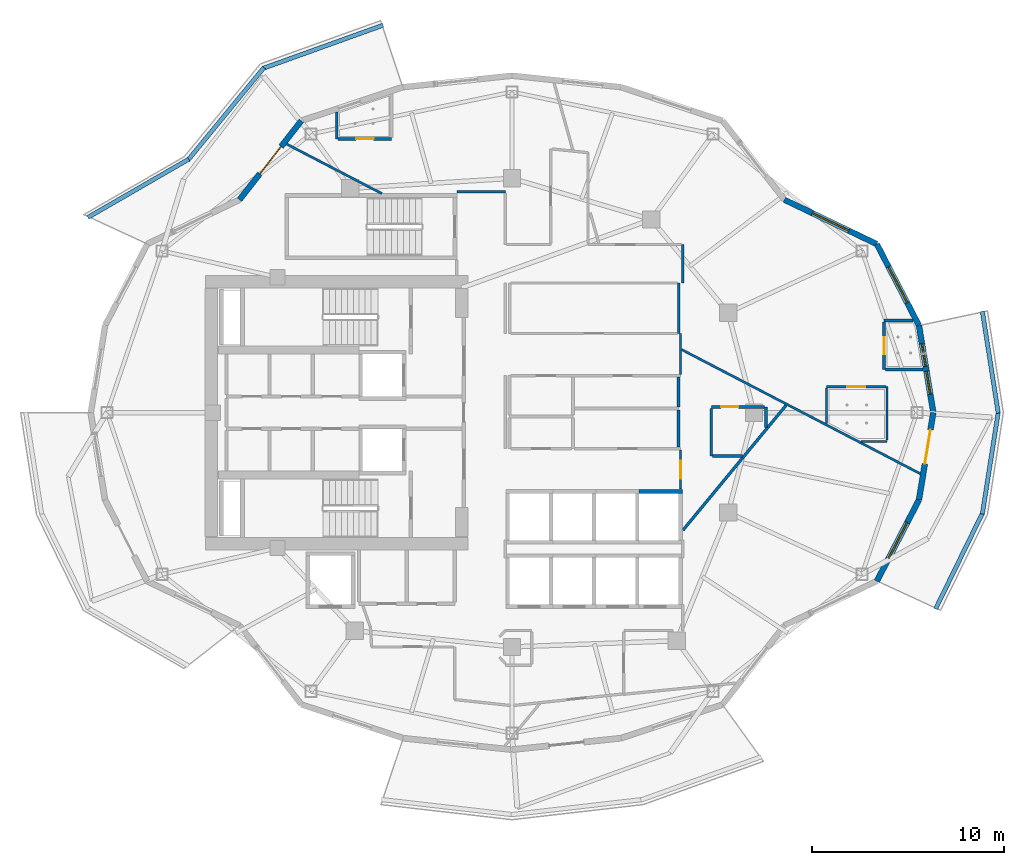
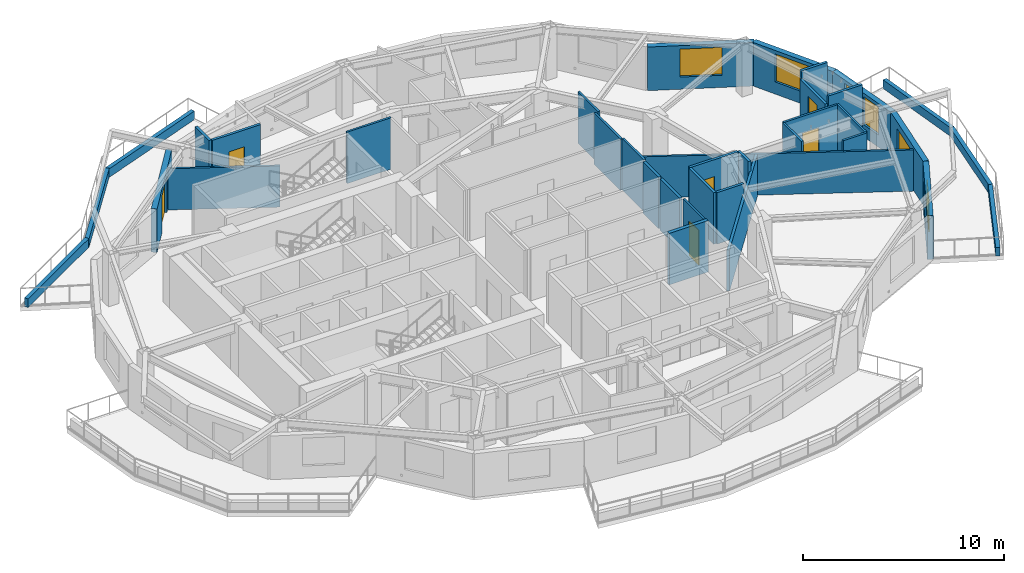
# One storey, part 6 of 14: 36 walls, 7 doors, 5 windows, 12 openings.
"""IFC4 building model written with IfcOpenShell, lengths in metres."""

from ifc_helpers import new_model, si_unit, direction, frame, frame_2d, origin, place, context, subcontext, project, spatial, rectangle, extrude, material, layer, layer_set, type_object, element, fill, save


model = new_model("IFC4")

# Units and contexts
model_context = context("Model", 3, precision=1e-05, world=origin(), true_north=direction((0.0, 1.0)))
body_context = subcontext(model_context, "Body", "Model", "MODEL_VIEW")
ifc_project = project(units=[si_unit("LENGTHUNIT", "METRE"), si_unit("AREAUNIT", "SQUARE_METRE"), si_unit("VOLUMEUNIT", "CUBIC_METRE"), si_unit("PLANEANGLEUNIT", "RADIAN"), si_unit("MASSUNIT", "GRAM", prefix="KILO")], contexts=[model_context])

# Site, building, storey
site_placement = place(None, origin())
site = spatial("IfcSite", under=ifc_project, at=site_placement, CompositionType="ELEMENT")
building_placement = place(site_placement, origin())
building = spatial("IfcBuilding", under=site, at=building_placement, Name="Kolvaren Gate Tower and Convention Centre", CompositionType="ELEMENT")
storey_placement = place(building_placement, frame((0.0, 0.0, 173.300048828125)))
storey = spatial("IfcBuildingStorey", under=building, at=storey_placement, Name="L45", CompositionType="ELEMENT", Elevation=173.300048828125)

# Walls
ifc_material_1 = material(Name="Fire-Rated Acoustic Gypsum Stud Partition", Category="gypsum")
ifc_layer_1 = layer(ifc_material_1, 0.1201171875)
ifc_layer_set_1 = layer_set([ifc_layer_1], Name="Fire-Rated Acoustic Gypsum Stud Partition")
wall_type_1 = type_object("IfcWallType", Name="ARCH-WL-PART-120", PredefinedType="PARTITIONING", material=ifc_layer_set_1)
wall_1_placement = place(storey_placement, frame((38.800048828125, 31.1201171875, 0.0), z_axis=(0.0, 0.0, 1.0), x_axis=(0.0, 1.0, 0.0)))
element("IfcWall", 1, at=wall_1_placement, inside=storey, type_object=wall_type_1, Name="Interior Partition WL-L45-INT-024", PredefinedType="PARTITIONING", context=body_context, shape_type="SweptSolid", body=[
    extrude(rectangle(XDim=2.6298828125, YDim=0.1201171875, at=frame_2d((1.31494140625, 0.0))), origin(), (0.0, 0.0, 1.0), 3.1298828125),
])
wall_2_placement = place(storey_placement, frame((39.02001953125, 33.75, 0.0), z_axis=(0.0, 0.0, 1.0), x_axis=(0.0, 1.0, 0.0)))
element("IfcWall", 2, at=wall_2_placement, inside=storey, type_object=wall_type_1, Name="Interior Partition WL-L45-INT-028", PredefinedType="PARTITIONING", context=body_context, shape_type="SweptSolid", body=[
    extrude(rectangle(XDim=2.0, YDim=0.1201171875, at=frame_2d((1.0, 0.0))), origin(), (0.0, 0.0, 1.0), 3.1298828125),
])
wall_3_placement = place(storey_placement, frame((27.25, 38.5, 0.0), z_axis=(0.0, 0.0, 1.0), x_axis=(1.0, 0.0, 0.0)))
element("IfcWall", 3, at=wall_3_placement, inside=storey, type_object=wall_type_1, Name="Interior Partition WL-L45-INT-038", PredefinedType="PARTITIONING", context=body_context, shape_type="SweptSolid", body=[
    extrude(rectangle(XDim=2.530029296875, YDim=0.1201171875, at=frame_2d((1.26513671875, 0.0))), origin(), (0.0, 0.0, 1.0), 3.1298828125),
])

# Wall, opening, door
wall_4_placement = place(storey_placement, frame((38.89990234375, 23.02001953125, 0.0), z_axis=(0.0, 0.0, 1.0), x_axis=(0.0, 1.0, 0.0)))
wall_4 = element("IfcWall", 4, at=wall_4_placement, inside=storey, type_object=wall_type_1, Name="Interior Partition WL-L45-INT-048", PredefinedType="PARTITIONING", context=body_context, shape_type="SweptSolid", body=[
    extrude(rectangle(XDim=2.02294921875, YDim=0.1201171875, at=frame_2d((1.011474609375, 0.0))), origin(), (0.0, 0.0, 1.0), 3.1298828125),
])
opening_1_placement = place(wall_4_placement, frame((0.53662109375, 0.0, 0.0)))
opening_1 = element("IfcOpeningElement", 5, at=opening_1_placement, cuts=wall_4, Name="Opening DR-01", PredefinedType="OPENING", context=body_context, shape_type="SweptSolid", body=[
    extrude(rectangle(XDim=0.949951171875, YDim=2.10009765625, at=frame_2d((0.47509765625, 1.050048828125))), frame((0.0, 0.070068359375, 0.0), z_axis=(0.0, -1.0, 0.0), x_axis=(1.0, 0.0, 0.0)), (0.0, 0.0, 1.0), 0.14013671875),
])
ifc_material_2 = material(Name="Painted Architectural Steelwork ASTM A500 Grade C 345 MPa", Category="steel")
door_type_1 = type_object("IfcDoorType", Name="ARCH-DR-RISER-950", OperationType="SINGLE_SWING_RIGHT", PredefinedType="DOOR", material=ifc_material_2)
door_1_placement = place(opening_1_placement, origin())
door_1 = element("IfcDoor", 6, at=door_1_placement, inside=storey, type_object=door_type_1, Name="Deluxe Hotel Suite (HTL-L45-04) Door", OperationType="SINGLE_SWING_RIGHT", OverallHeight=2.10009765625, OverallWidth=0.949951171875, PredefinedType="DOOR", context=body_context, shape_type="SweptSolid", body=[
    extrude(rectangle(XDim=0.949951171875, YDim=2.10009765625, at=frame_2d((0.47509765625, 1.050048828125))), frame((0.0, 0.02490234375, 0.0), z_axis=(0.0, -1.0, 0.0), x_axis=(1.0, 0.0, 0.0)), (0.0, 0.0, 1.0), 0.050048828125),
])
fill(opening_1, door_1)

# Walls
wall_5_placement = place(storey_placement, frame((38.89990234375, 28.9970703125, 0.0), z_axis=(0.0, 0.0, 1.0), x_axis=(0.0, 1.0, 0.0)))
element("IfcWall", 7, at=wall_5_placement, inside=storey, type_object=wall_type_1, Name="Interior Partition WL-L45-INT-049", PredefinedType="PARTITIONING", context=body_context, shape_type="SweptSolid", body=[
    extrude(rectangle(XDim=2.123046875, YDim=0.1201171875, at=frame_2d((1.0615234375, 0.0))), origin(), (0.0, 0.0, 1.0), 3.1298828125),
])
wall_6_placement = place(storey_placement, frame((18.39599609375, 40.981201171875, 0.0), z_axis=(0.0, 0.0, 1.0), x_axis=(0.887120213162, -0.461538435452, 0.0)))
element("IfcWall", 8, at=wall_6_placement, inside=storey, type_object=wall_type_1, Name="Interior Partition WL-L45-INT-054", PredefinedType="PARTITIONING", context=body_context, shape_type="SweptSolid", body=[
    extrude(rectangle(XDim=5.588134765625, YDim=0.1201171875, at=frame_2d((2.7939453125, 0.0))), origin(), (0.0, 0.0, 1.0), 2.5048828125),
])
wall_7_placement = place(storey_placement, frame((38.9619140625, 30.28076171875, 0.0), z_axis=(0.0, 0.0, 1.0), x_axis=(0.887114590422, -0.461549242725, 0.0)))
element("IfcWall", 9, at=wall_7_placement, inside=storey, type_object=wall_type_1, Name="Interior Partition WL-L45-INT-055", PredefinedType="PARTITIONING", context=body_context, shape_type="SweptSolid", body=[
    extrude(rectangle(XDim=14.003662109375, YDim=0.1201171875, at=frame_2d((7.001953125, 0.0))), origin(), (0.0, 0.0, 1.0), 2.5048828125),
])
wall_8_placement = place(storey_placement, frame((48.28515625, 25.5, 0.0), z_axis=(0.0, 0.0, 1.0), x_axis=(1.0, 0.0, 0.0)))
element("IfcWall", 10, at=wall_8_placement, inside=storey, type_object=wall_type_1, Name="Interior Partition WL-L45-INT-066", PredefinedType="PARTITIONING", context=body_context, shape_type="SweptSolid", body=[
    extrude(rectangle(XDim=1.36474609375, YDim=0.1201171875, at=frame_2d((0.682373046875, 0.0))), origin(), (0.0, 0.0, 1.0), 3.1298828125),
])
wall_9_placement = place(storey_placement, frame((49.64990234375, 25.56201171875, 0.0), z_axis=(0.0, 0.0, 1.0), x_axis=(0.0, 1.0, 0.0)))
element("IfcWall", 11, at=wall_9_placement, inside=storey, type_object=wall_type_1, Name="Interior Partition WL-L45-INT-067", PredefinedType="PARTITIONING", context=body_context, shape_type="SweptSolid", body=[
    extrude(rectangle(XDim=2.7880859375, YDim=0.1201171875, at=frame_2d((1.39404296875, 0.0))), origin(), (0.0, 0.0, 1.0), 3.1298828125),
])

# Wall, opening, door
wall_10_placement = place(storey_placement, frame((46.5, 28.35009765625, 0.0), z_axis=(0.0, 0.0, 1.0), x_axis=(1.0, 0.0, 0.0)))
wall_10 = element("IfcWall", 12, at=wall_10_placement, inside=storey, type_object=wall_type_1, Name="Interior Partition WL-L45-INT-068", PredefinedType="PARTITIONING", context=body_context, shape_type="SweptSolid", body=[
    extrude(rectangle(XDim=3.087890625, YDim=0.1201171875, at=frame_2d((1.5439453125, 0.0))), origin(), (0.0, 0.0, 1.0), 3.1298828125),
])
opening_2_placement = place(wall_10_placement, frame((1.069091796875, 0.0, 0.0)))
opening_2 = element("IfcOpeningElement", 13, at=opening_2_placement, cuts=wall_10, Name="Opening DI-01", PredefinedType="OPENING", context=body_context, shape_type="SweptSolid", body=[
    extrude(rectangle(XDim=0.949951171875, YDim=2.10009765625, at=frame_2d((0.47509765625, 1.050048828125))), frame((0.0, 0.070068359375, 0.0), z_axis=(0.0, -1.0, 0.0), x_axis=(1.0, 0.0, 0.0)), (0.0, 0.0, 1.0), 0.14013671875),
])
ifc_material_3 = material(Name="FSC Andean Oak Engineered Veneer Door Leaf", Category="wood")
door_type_2 = type_object("IfcDoorType", Name="ARCH-DR-INT-950", OperationType="SINGLE_SWING_LEFT", PredefinedType="DOOR", material=ifc_material_3)
door_2_placement = place(opening_2_placement, origin())
door_2 = element("IfcDoor", 14, at=door_2_placement, inside=storey, type_object=door_type_2, Name="Suite Principal Bedroom (HTL-L45-05) Door", OperationType="SINGLE_SWING_RIGHT", OverallHeight=2.10009765625, OverallWidth=0.949951171875, PredefinedType="DOOR", context=body_context, shape_type="SweptSolid", body=[
    extrude(rectangle(XDim=0.949951171875, YDim=2.10009765625, at=frame_2d((0.47509765625, 1.050048828125))), frame((0.0, 0.02490234375, 0.0), z_axis=(0.0, -1.0, 0.0), x_axis=(1.0, 0.0, 0.0)), (0.0, 0.0, 1.0), 0.050048828125),
])
fill(opening_2, door_2)

# Walls
wall_11_placement = place(storey_placement, frame((46.5, 26.4287109375, 0.0), z_axis=(0.0, 0.0, 1.0), x_axis=(0.0, 1.0, 0.0)))
element("IfcWall", 15, at=wall_11_placement, inside=storey, type_object=wall_type_1, Name="Interior Partition WL-L45-INT-069", PredefinedType="PARTITIONING", context=body_context, shape_type="SweptSolid", body=[
    extrude(rectangle(XDim=1.859375, YDim=0.1201171875, at=frame_2d((0.9296875, 0.0))), origin(), (0.0, 0.0, 1.0), 3.1298828125),
])
ifc_material_4 = material(Name="Piedmont Cream Honed Limestone Cladding", Category="masonry")
ifc_layer_2 = layer(ifc_material_4, 0.219970703125)
ifc_layer_set_2 = layer_set([ifc_layer_2], Name="Piedmont Cream Honed Limestone Cladding")
wall_type_2 = type_object("IfcWallType", Name="ARCH-WL-PLANTER-220", PredefinedType="PARAPET", material=ifc_layer_set_2)
wall_12_placement = place(storey_placement, frame((17.14306640625, 44.917724609375, 0.0), z_axis=(0.0, 0.0, 1.0), x_axis=(0.94094437769, 0.33856118811, 0.0)))
element("IfcWall", 16, at=wall_12_placement, inside=storey, type_object=wall_type_2, Name="Vertical-Forest Balcony Stone Planter Kerb PK-L45-1.1", PredefinedType="PARAPET", context=body_context, shape_type="SweptSolid", body=[
    extrude(rectangle(XDim=6.663818359375, YDim=0.219970703125, at=frame_2d((3.33203125, 0.0))), origin(), (0.0, 0.0, 1.0), 0.52001953125),
])
wall_13_placement = place(storey_placement, frame((13.24609375, 40.13720703125, 0.0), z_axis=(0.0, 0.0, 1.0), x_axis=(0.634429234628, 0.77298094818, 0.0)))
element("IfcWall", 17, at=wall_13_placement, inside=storey, type_object=wall_type_2, Name="Vertical-Forest Balcony Stone Planter Kerb PK-L45-1.2", PredefinedType="PARAPET", context=body_context, shape_type="SweptSolid", body=[
    extrude(rectangle(XDim=6.244873046875, YDim=0.219970703125, at=frame_2d((3.12255859375, 0.0))), origin(), (0.0, 0.0, 1.0), 0.52001953125),
])
wall_14_placement = place(storey_placement, frame((8.0439453125, 37.16552734375, 0.0), z_axis=(0.0, 0.0, 1.0), x_axis=(0.866058128659, 0.499943314571, 0.0)))
element("IfcWall", 18, at=wall_14_placement, inside=storey, type_object=wall_type_2, Name="Vertical-Forest Balcony Stone Planter Kerb PK-L45-1.3", PredefinedType="PARAPET", context=body_context, shape_type="SweptSolid", body=[
    extrude(rectangle(XDim=6.060302734375, YDim=0.219970703125, at=frame_2d((3.0302734375, 0.0))), origin(), (0.0, 0.0, 1.0), 0.52001953125),
])
wall_15_placement = place(storey_placement, frame((52.180419921875, 16.778564453125, 0.0), z_axis=(0.0, 0.0, 1.0), x_axis=(0.439637174641, 0.898175458735, 0.0)))
element("IfcWall", 19, at=wall_15_placement, inside=storey, type_object=wall_type_2, Name="Vertical-Forest Balcony Stone Planter Kerb PK-L45-4.1", PredefinedType="PARAPET", context=body_context, shape_type="SweptSolid", body=[
    extrude(rectangle(XDim=5.567138671875, YDim=0.219970703125, at=frame_2d((2.78369140625, 0.0))), origin(), (0.0, 0.0, 1.0), 0.52001953125),
])
for number, where, z_axis, x_axis, name in (
    (20, (54.615234375, 21.719970703125, 0.0), (0.0, 0.0, 1.0), (0.154245214003, 0.988032597619, 0.0), "Vertical-Forest Balcony Stone Planter Kerb PK-L45-4.2"),
    (21, (54.615234375, 32.280029296875, 0.0), (0.0, 0.0, 1.0), (0.154245214003, -0.988032597619, 0.0), "Vertical-Forest Balcony Stone Planter Kerb PK-L45-4.3"),
):
    element("IfcWall", number, at=place(storey_placement, frame(where, z_axis=z_axis, x_axis=x_axis)), inside=storey, type_object=wall_type_2, Name=name, PredefinedType="PARAPET", context=body_context, shape_type="SweptSolid", body=[
        extrude(rectangle(XDim=5.37353515625, YDim=0.219970703125, at=frame_2d((2.686767578125, 0.0))), origin(), (0.0, 0.0, 1.0), 0.52001953125),
    ])
ifc_material_5 = material(Name="Autoclaved Aerated Masonry Blockwork Class 4 (4.0 MPa)", Category="masonry")
ifc_layer_3 = layer(ifc_material_5, 0.199951171875)
ifc_layer_set_3 = layer_set([ifc_layer_3], Name="Autoclaved Aerated Masonry Blockwork Class 4 (4.0 MPa)")
wall_type_3 = type_object("IfcWallType", Name="ARCH-WL-SHAFT-200", PredefinedType="SOLIDWALL", material=ifc_layer_set_3)
wall_16_placement = place(storey_placement, frame((36.75, 22.89990234375, 0.0), z_axis=(0.0, 0.0, 1.0), x_axis=(1.0, 0.0, 0.0)))
element("IfcWall", 22, at=wall_16_placement, inside=storey, type_object=wall_type_3, Name="Elevator PL-12 L45 Fire Shaft Wall N", PredefinedType="SOLIDWALL", context=body_context, shape_type="SweptSolid", body=[
    extrude(rectangle(XDim=2.25, YDim=0.199951171875, at=frame_2d((1.125, 0.0))), origin(), (0.0, 0.0, 1.0), 3.1298828125),
])

# Wall, openings, windows
ifc_layer_4 = layer(ifc_material_4, 0.300048828125)
ifc_layer_set_4 = layer_set([ifc_layer_4], Name="Piedmont Cream Honed Limestone Cladding")
wall_type_4 = type_object("IfcWallType", Name="ARCH-WL-STONE-300", PredefinedType="SOLIDWALL", material=ifc_layer_set_4)
wall_17_placement = place(storey_placement, frame((51.31494140625, 31.542236328125, 0.0), z_axis=(0.0, 0.0, 1.0), x_axis=(0.162394765401, -0.986725868806, 0.0)))
wall_17 = element("IfcWall", 23, at=wall_17_placement, inside=storey, type_object=wall_type_4, Name="Tower L45 Honed Stone Spandrel Wall EW-00", PredefinedType="SOLIDWALL", context=body_context, shape_type="SweptSolid", body=[
    extrude(rectangle(XDim=4.603271484375, YDim=0.300048828125, at=frame_2d((2.3017578125, 0.0))), origin(), (0.0, 0.0, 1.0), 2.65283203125),
])
opening_3_placement = place(wall_17_placement, frame((0.957763671875, 0.0, 0.739990234375)))
opening_3 = element("IfcOpeningElement", 24, at=opening_3_placement, cuts=wall_17, Name="Opening W-04", PredefinedType="OPENING", context=body_context, shape_type="SweptSolid", body=[
    extrude(rectangle(XDim=1.199951171875, YDim=1.699951171875, at=frame_2d((0.60009765625, 0.85009765625))), frame((0.0, 0.159912109375, 0.0), z_axis=(0.0, -1.0, 0.0), x_axis=(1.0, 0.0, 0.0)), (0.0, 0.0, 1.0), 0.320068359375),
])
opening_4_placement = place(wall_17_placement, frame((2.427978515625, 0.0, 0.739990234375)))
opening_4 = element("IfcOpeningElement", 25, at=opening_4_placement, cuts=wall_17, Name="Opening W-04", PredefinedType="OPENING", context=body_context, shape_type="SweptSolid", body=[
    extrude(rectangle(XDim=1.199951171875, YDim=1.699951171875, at=frame_2d((0.60009765625, 0.85009765625))), frame((0.0, 0.159912109375, 0.0), z_axis=(0.0, -1.0, 0.0), x_axis=(1.0, 0.0, 0.0)), (0.0, 0.0, 1.0), 0.320068359375),
])
ifc_material_6 = material(Name="Low-E Triple Insulated Glazing Unit 44 mm", Category="glass")
window_type_1 = type_object("IfcWindowType", Name="ARCH-WN-NARROW-1200", PartitioningType="SINGLE_PANEL", PredefinedType="WINDOW", material=ifc_material_6)
window_1_placement = place(opening_3_placement, origin())
window_1 = element("IfcWindow", 26, at=window_1_placement, inside=storey, type_object=window_type_1, Name="Tower L45 Punched Stone Facade Window W-00", OverallHeight=1.699951171875, OverallWidth=1.199951171875, PartitioningType="SINGLE_PANEL", PredefinedType="WINDOW", context=body_context, shape_type="SweptSolid", body=[
    extrude(rectangle(XDim=1.199951171875, YDim=1.699951171875, at=frame_2d((0.60009765625, 0.85009765625))), frame((0.0, 0.030029296875, 0.0), z_axis=(0.0, -1.0, 0.0), x_axis=(1.0, 0.0, 0.0)), (0.0, 0.0, 1.0), 0.06005859375),
])
fill(opening_3, window_1)
window_2_placement = place(opening_4_placement, origin())
window_2 = element("IfcWindow", 27, at=window_2_placement, inside=storey, type_object=window_type_1, Name="Tower L45 Punched Stone Facade Window W-00B", OverallHeight=1.699951171875, OverallWidth=1.199951171875, PartitioningType="SINGLE_PANEL", PredefinedType="WINDOW", context=body_context, shape_type="SweptSolid", body=[
    extrude(rectangle(XDim=1.199951171875, YDim=1.699951171875, at=frame_2d((0.60009765625, 0.85009765625))), frame((0.0, 0.030029296875, 0.0), z_axis=(0.0, -1.0, 0.0), x_axis=(1.0, 0.0, 0.0)), (0.0, 0.0, 1.0), 0.06005859375),
])
fill(opening_4, window_2)

# Wall, opening, window
wall_18_placement = place(storey_placement, frame((49.123291015625, 35.77490234375, 0.0), z_axis=(0.0, 0.0, 1.0), x_axis=(0.459810251451, -0.888017191647, 0.0)))
wall_18 = element("IfcWall", 28, at=wall_18_placement, inside=storey, type_object=wall_type_4, Name="Tower L45 Honed Stone Spandrel Wall EW-01", PredefinedType="SOLIDWALL", context=body_context, shape_type="SweptSolid", body=[
    extrude(rectangle(XDim=4.766357421875, YDim=0.300048828125, at=frame_2d((2.38330078125, 0.0))), origin(), (0.0, 0.0, 1.0), 2.65283203125),
])
opening_5_placement = place(wall_18_placement, frame((1.3330078125, 0.0, 0.739990234375)))
opening_5 = element("IfcOpeningElement", 29, at=opening_5_placement, cuts=wall_18, Name="Opening W-02", PredefinedType="OPENING", context=body_context, shape_type="SweptSolid", body=[
    extrude(rectangle(XDim=2.10009765625, YDim=1.699951171875, at=frame_2d((1.050048828125, 0.85009765625))), frame((0.0, 0.159912109375, 0.0), z_axis=(0.0, -1.0, 0.0), x_axis=(1.0, 0.0, 0.0)), (0.0, 0.0, 1.0), 0.320068359375),
])
window_type_2 = type_object("IfcWindowType", Name="ARCH-WN-HTL-2100", PartitioningType="SINGLE_PANEL", PredefinedType="WINDOW", material=ifc_material_6)
window_3_placement = place(opening_5_placement, origin())
window_3 = element("IfcWindow", 30, at=window_3_placement, inside=storey, type_object=window_type_2, Name="Tower L45 Punched Stone Facade Window W-01", OverallHeight=1.699951171875, OverallWidth=2.10009765625, PartitioningType="SINGLE_PANEL", PredefinedType="WINDOW", context=body_context, shape_type="SweptSolid", body=[
    extrude(rectangle(XDim=2.10009765625, YDim=1.699951171875, at=frame_2d((1.050048828125, 0.85009765625))), frame((0.0, 0.030029296875, 0.0), z_axis=(0.0, -1.0, 0.0), x_axis=(1.0, 0.0, 0.0)), (0.0, 0.0, 1.0), 0.06005859375),
])
fill(opening_5, window_3)

wall_19_placement = place(storey_placement, frame((44.3134765625, 38.0859375, 0.0), z_axis=(0.0, 0.0, 1.0), x_axis=(0.901353070301, -0.433085029363, 0.0)))
wall_19 = element("IfcWall", 31, at=wall_19_placement, inside=storey, type_object=wall_type_4, Name="Tower L45 Honed Stone Spandrel Wall EW-02", PredefinedType="SOLIDWALL", context=body_context, shape_type="SweptSolid", body=[
    extrude(rectangle(XDim=5.336181640625, YDim=0.300048828125, at=frame_2d((2.66796875, 0.0))), origin(), (0.0, 0.0, 1.0), 2.65283203125),
])
opening_6_placement = place(wall_19_placement, frame((1.617919921875, 0.0, 0.739990234375)))
opening_6 = element("IfcOpeningElement", 32, at=opening_6_placement, cuts=wall_19, Name="Opening W-02", PredefinedType="OPENING", context=body_context, shape_type="SweptSolid", body=[
    extrude(rectangle(XDim=2.10009765625, YDim=1.699951171875, at=frame_2d((1.050048828125, 0.85009765625))), frame((0.0, 0.159912109375, 0.0), z_axis=(0.0, -1.0, 0.0), x_axis=(1.0, 0.0, 0.0)), (0.0, 0.0, 1.0), 0.320068359375),
])
window_4_placement = place(opening_6_placement, origin())
window_4 = element("IfcWindow", 33, at=window_4_placement, inside=storey, type_object=window_type_2, Name="Tower L45 Punched Stone Facade Window W-02", OverallHeight=1.699951171875, OverallWidth=2.10009765625, PartitioningType="SINGLE_PANEL", PredefinedType="WINDOW", context=body_context, shape_type="SweptSolid", body=[
    extrude(rectangle(XDim=2.10009765625, YDim=1.699951171875, at=frame_2d((1.050048828125, 0.85009765625))), frame((0.0, 0.030029296875, 0.0), z_axis=(0.0, -1.0, 0.0), x_axis=(1.0, 0.0, 0.0)), (0.0, 0.0, 1.0), 0.06005859375),
])
fill(opening_6, window_4)

# Wall, opening, door
wall_20_placement = place(storey_placement, frame((15.9365234375, 38.0859375, 0.0), z_axis=(0.0, 0.0, 1.0), x_axis=(0.616429245738, 0.787410302828, 0.0)))
wall_20 = element("IfcWall", 34, at=wall_20_placement, inside=storey, type_object=wall_type_4, Name="Tower L45 Honed Stone Spandrel Wall EW-08", PredefinedType="SOLIDWALL", context=body_context, shape_type="SweptSolid", body=[
    extrude(rectangle(XDim=5.22314453125, YDim=0.300048828125, at=frame_2d((2.611572265625, 0.0))), origin(), (0.0, 0.0, 1.0), 2.65283203125),
])
opening_7_placement = place(wall_20_placement, frame((1.7119140625, 0.0, 0.0)))
opening_7 = element("IfcOpeningElement", 35, at=opening_7_placement, cuts=wall_20, Name="Opening DB-01", PredefinedType="OPENING", context=body_context, shape_type="SweptSolid", body=[
    extrude(rectangle(XDim=1.800048828125, YDim=2.25, at=frame_2d((0.89990234375, 1.125))), frame((0.0, 0.159912109375, 0.0), z_axis=(0.0, -1.0, 0.0), x_axis=(1.0, 0.0, 0.0)), (0.0, 0.0, 1.0), 0.320068359375),
])
ifc_material_7 = material(Name="Anodized Architectural Aluminium Alloy 6063-T6", Category="aluminium")
door_type_3 = type_object("IfcDoorType", Name="ARCH-DR-BALC-1800", OperationType="SLIDING_TO_LEFT", PredefinedType="DOOR", material=ifc_material_7)
door_3_placement = place(opening_7_placement, origin())
door_3 = element("IfcDoor", 36, at=door_3_placement, inside=storey, type_object=door_type_3, Name="Planted Sky Terrace Access Door DB-L45-08", OperationType="SLIDING_TO_LEFT", OverallHeight=2.25, OverallWidth=1.800048828125, PredefinedType="DOOR", context=body_context, shape_type="SweptSolid", body=[
    extrude(rectangle(XDim=1.800048828125, YDim=2.25, at=frame_2d((0.89990234375, 1.125))), frame((0.0, 0.02490234375, 0.0), z_axis=(0.0, -1.0, 0.0), x_axis=(1.0, 0.0, 0.0)), (0.0, 0.0, 1.0), 0.050048828125),
])
fill(opening_7, door_3)

# Wall, opening, window
wall_21_placement = place(storey_placement, frame((49.123291015625, 18.22509765625, 0.0), z_axis=(0.0, 0.0, 1.0), x_axis=(0.459810251451, 0.888017191647, 0.0)))
wall_21 = element("IfcWall", 37, at=wall_21_placement, inside=storey, type_object=wall_type_4, Name="Tower L45 Honed Stone Spandrel Wall EW-22", PredefinedType="SOLIDWALL", context=body_context, shape_type="SweptSolid", body=[
    extrude(rectangle(XDim=4.766357421875, YDim=0.300048828125, at=frame_2d((2.38330078125, 0.0))), origin(), (0.0, 0.0, 1.0), 2.65283203125),
])
opening_8_placement = place(wall_21_placement, frame((1.3330078125, 0.0, 0.739990234375)))
opening_8 = element("IfcOpeningElement", 38, at=opening_8_placement, cuts=wall_21, Name="Opening W-02", PredefinedType="OPENING", context=body_context, shape_type="SweptSolid", body=[
    extrude(rectangle(XDim=2.10009765625, YDim=1.699951171875, at=frame_2d((1.050048828125, 0.85009765625))), frame((0.0, 0.159912109375, 0.0), z_axis=(0.0, -1.0, 0.0), x_axis=(1.0, 0.0, 0.0)), (0.0, 0.0, 1.0), 0.320068359375),
])
window_5_placement = place(opening_8_placement, origin())
window_5 = element("IfcWindow", 39, at=window_5_placement, inside=storey, type_object=window_type_2, Name="Tower L45 Punched Stone Facade Window W-22", OverallHeight=1.699951171875, OverallWidth=2.10009765625, PartitioningType="SINGLE_PANEL", PredefinedType="WINDOW", context=body_context, shape_type="SweptSolid", body=[
    extrude(rectangle(XDim=2.10009765625, YDim=1.699951171875, at=frame_2d((1.050048828125, 0.85009765625))), frame((0.0, 0.030029296875, 0.0), z_axis=(0.0, -1.0, 0.0), x_axis=(1.0, 0.0, 0.0)), (0.0, 0.0, 1.0), 0.06005859375),
])
fill(opening_8, window_5)

# Wall, opening, door
wall_22_placement = place(storey_placement, frame((51.31494140625, 22.457763671875, 0.0), z_axis=(0.0, 0.0, 1.0), x_axis=(0.162394765401, 0.986725868806, 0.0)))
wall_22 = element("IfcWall", 40, at=wall_22_placement, inside=storey, type_object=wall_type_4, Name="Tower L45 Honed Stone Spandrel Wall EW-23", PredefinedType="SOLIDWALL", context=body_context, shape_type="SweptSolid", body=[
    extrude(rectangle(XDim=4.603271484375, YDim=0.300048828125, at=frame_2d((2.3017578125, 0.0))), origin(), (0.0, 0.0, 1.0), 2.65283203125),
])
opening_9_placement = place(wall_22_placement, frame((1.89990234375, 0.0, 0.0)))
opening_9 = element("IfcOpeningElement", 41, at=opening_9_placement, cuts=wall_22, Name="Opening DB-01", PredefinedType="OPENING", context=body_context, shape_type="SweptSolid", body=[
    extrude(rectangle(XDim=1.800048828125, YDim=2.25, at=frame_2d((0.89990234375, 1.125))), frame((0.0, 0.159912109375, 0.0), z_axis=(0.0, -1.0, 0.0), x_axis=(1.0, 0.0, 0.0)), (0.0, 0.0, 1.0), 0.320068359375),
])
door_4_placement = place(opening_9_placement, frame((1.800048828125, 0.0, 0.0), z_axis=(0.0, 0.0, 1.0), x_axis=(-1.0, 0.0, 0.0)))
door_4 = element("IfcDoor", 42, at=door_4_placement, inside=storey, type_object=door_type_3, Name="Planted Sky Terrace Access Door DB-L45-23", OperationType="SLIDING_TO_LEFT", OverallHeight=2.25, OverallWidth=1.800048828125, PredefinedType="DOOR", context=body_context, shape_type="SweptSolid", body=[
    extrude(rectangle(XDim=1.800048828125, YDim=2.25, at=frame_2d((0.89990234375, 1.125))), frame((0.0, 0.02490234375, 0.0), z_axis=(0.0, -1.0, 0.0), x_axis=(1.0, 0.0, 0.0)), (0.0, 0.0, 1.0), 0.050048828125),
])
fill(opening_9, door_4)

# Walls
ifc_material_8 = material(Name="Moisture-Resistant Cement-Board Acoustic Partition", Category="gypsum")
ifc_layer_5 = layer(ifc_material_8, 0.14990234375)
ifc_layer_set_5 = layer_set([ifc_layer_5], Name="Moisture-Resistant Cement-Board Acoustic Partition")
wall_type_5 = type_object("IfcWallType", Name="ARCH-WL-WET-150", PredefinedType="PARTITIONING", material=ifc_layer_set_5)
wall_23_placement = place(storey_placement, frame((38.800048828125, 25.197021484375, 0.0), z_axis=(0.0, 0.0, 1.0), x_axis=(0.0, 1.0, 0.0)))
element("IfcWall", 43, at=wall_23_placement, inside=storey, type_object=wall_type_5, Name="Interior Partition WL-L45-INT-023", PredefinedType="PARTITIONING", context=body_context, shape_type="SweptSolid", body=[
    extrude(rectangle(XDim=1.946044921875, YDim=0.14990234375, at=frame_2d((0.97314453125, 0.0))), origin(), (0.0, 0.0, 1.0), 3.1298828125),
])
wall_24_placement = place(storey_placement, frame((38.800048828125, 27.297119140625, 0.0), z_axis=(0.0, 0.0, 1.0), x_axis=(0.0, 1.0, 0.0)))
element("IfcWall", 44, at=wall_24_placement, inside=storey, type_object=wall_type_5, Name="Interior Partition WL-L45-INT-023 (2)", PredefinedType="PARTITIONING", context=body_context, shape_type="SweptSolid", body=[
    extrude(rectangle(XDim=1.5458984375, YDim=0.14990234375, at=frame_2d((0.77294921875, 0.0))), origin(), (0.0, 0.0, 1.0), 3.1298828125),
])
wall_25_placement = place(storey_placement, frame((39.0234375, 20.874267578125, 0.0), z_axis=(0.0, 0.0, 1.0), x_axis=(0.636698291185, 0.771113017658, 0.0)))
element("IfcWall", 45, at=wall_25_placement, inside=storey, type_object=wall_type_5, Name="Interior Partition WL-L45-INT-057", PredefinedType="PARTITIONING", context=body_context, shape_type="SweptSolid", body=[
    extrude(rectangle(XDim=8.4404296875, YDim=0.14990234375, at=frame_2d((4.22021484375, 0.0))), origin(), (0.0, 0.0, 1.0), 2.5048828125),
])
wall_26_placement = place(storey_placement, frame((43.35009765625, 26.2353515625, 0.0), z_axis=(0.0, 0.0, 1.0), x_axis=(0.0, 1.0, 0.0)))
element("IfcWall", 46, at=wall_26_placement, inside=storey, type_object=wall_type_5, Name="Interior Partition WL-L45-INT-059", PredefinedType="PARTITIONING", context=body_context, shape_type="SweptSolid", body=[
    extrude(rectangle(XDim=1.064697265625, YDim=0.14990234375, at=frame_2d((0.5322265625, 0.0))), origin(), (0.0, 0.0, 1.0), 3.1298828125),
])

# Wall, opening, door
wall_27_placement = place(storey_placement, frame((40.5, 27.300048828125, 0.0), z_axis=(0.0, 0.0, 1.0), x_axis=(1.0, 0.0, 0.0)))
wall_27 = element("IfcWall", 47, at=wall_27_placement, inside=storey, type_object=wall_type_5, Name="Interior Partition WL-L45-INT-060", PredefinedType="PARTITIONING", context=body_context, shape_type="SweptSolid", body=[
    extrude(rectangle(XDim=2.77294921875, YDim=0.14990234375, at=frame_2d((1.386474609375, 0.0))), origin(), (0.0, 0.0, 1.0), 3.1298828125),
])
opening_10_placement = place(wall_27_placement, frame((0.5166015625, 0.0, 0.0)))
opening_10 = element("IfcOpeningElement", 48, at=opening_10_placement, cuts=wall_27, Name="Opening DW-01", PredefinedType="OPENING", context=body_context, shape_type="SweptSolid", body=[
    extrude(rectangle(XDim=0.89990234375, YDim=2.10009765625, at=frame_2d((0.449951171875, 1.050048828125))), frame((0.0, 0.0849609375, 0.0), z_axis=(0.0, -1.0, 0.0), x_axis=(1.0, 0.0, 0.0)), (0.0, 0.0, 1.0), 0.169921875),
])
door_type_4 = type_object("IfcDoorType", Name="ARCH-DR-WC-900", OperationType="SINGLE_SWING_RIGHT", PredefinedType="DOOR", material=ifc_material_3)
door_5_placement = place(opening_10_placement, origin())
door_5 = element("IfcDoor", 49, at=door_5_placement, inside=storey, type_object=door_type_4, Name="En-suite Bathroom (HTL-L45-04) Door", OperationType="SINGLE_SWING_LEFT", OverallHeight=2.10009765625, OverallWidth=0.89990234375, PredefinedType="DOOR", context=body_context, shape_type="SweptSolid", body=[
    extrude(rectangle(XDim=0.89990234375, YDim=2.10009765625, at=frame_2d((0.449951171875, 1.050048828125))), frame((0.0, 0.02490234375, 0.0), z_axis=(0.0, -1.0, 0.0), x_axis=(1.0, 0.0, 0.0)), (0.0, 0.0, 1.0), 0.050048828125),
])
fill(opening_10, door_5)

# Walls
wall_28_placement = place(storey_placement, frame((40.5, 24.75, 0.0), z_axis=(0.0, 0.0, 1.0), x_axis=(0.0, 1.0, 0.0)))
element("IfcWall", 50, at=wall_28_placement, inside=storey, type_object=wall_type_5, Name="Interior Partition WL-L45-INT-061", PredefinedType="PARTITIONING", context=body_context, shape_type="SweptSolid", body=[
    extrude(rectangle(XDim=2.472900390625, YDim=0.14990234375, at=frame_2d((1.236328125, 0.0))), origin(), (0.0, 0.0, 1.0), 3.1298828125),
])
wall_29_placement = place(storey_placement, frame((40.576904296875, 24.75, 0.0), z_axis=(0.0, 0.0, 1.0), x_axis=(1.0, 0.0, 0.0)))
element("IfcWall", 51, at=wall_29_placement, inside=storey, type_object=wall_type_5, Name="Interior Partition WL-L45-INT-062", PredefinedType="PARTITIONING", context=body_context, shape_type="SweptSolid", body=[
    extrude(rectangle(XDim=1.546875, YDim=0.14990234375, at=frame_2d((0.7734375, 0.0))), origin(), (0.0, 0.0, 1.0), 3.1298828125),
])
wall_30_placement = place(storey_placement, frame((49.5, 31.800048828125, 0.0), z_axis=(0.0, 0.0, 1.0), x_axis=(1.0, 0.0, 0.0)))
element("IfcWall", 52, at=wall_30_placement, inside=storey, type_object=wall_type_5, Name="Interior Partition WL-L45-INT-063", PredefinedType="PARTITIONING", context=body_context, shape_type="SweptSolid", body=[
    extrude(rectangle(XDim=1.510498046875, YDim=0.14990234375, at=frame_2d((0.75537109375, 0.0))), origin(), (0.0, 0.0, 1.0), 3.1298828125),
])

# Wall, opening, door
wall_31_placement = place(storey_placement, frame((49.5, 29.25, 0.0), z_axis=(0.0, 0.0, 1.0), x_axis=(0.0, 1.0, 0.0)))
wall_31 = element("IfcWall", 53, at=wall_31_placement, inside=storey, type_object=wall_type_5, Name="Interior Partition WL-L45-INT-064", PredefinedType="PARTITIONING", context=body_context, shape_type="SweptSolid", body=[
    extrude(rectangle(XDim=2.472900390625, YDim=0.14990234375, at=frame_2d((1.236328125, 0.0))), origin(), (0.0, 0.0, 1.0), 2.65283203125),
])
opening_11_placement = place(wall_31_placement, frame((0.78662109375, 0.0, 0.0)))
opening_11 = element("IfcOpeningElement", 54, at=opening_11_placement, cuts=wall_31, Name="Opening DW-01", PredefinedType="OPENING", context=body_context, shape_type="SweptSolid", body=[
    extrude(rectangle(XDim=0.89990234375, YDim=2.10009765625, at=frame_2d((0.449951171875, 1.050048828125))), frame((0.0, 0.0849609375, 0.0), z_axis=(0.0, -1.0, 0.0), x_axis=(1.0, 0.0, 0.0)), (0.0, 0.0, 1.0), 0.169921875),
])
door_6_placement = place(opening_11_placement, origin())
door_6 = element("IfcDoor", 55, at=door_6_placement, inside=storey, type_object=door_type_4, Name="En-suite Bathroom (HTL-L45-05) Door", OperationType="SINGLE_SWING_LEFT", OverallHeight=2.10009765625, OverallWidth=0.89990234375, PredefinedType="DOOR", context=body_context, shape_type="SweptSolid", body=[
    extrude(rectangle(XDim=0.89990234375, YDim=2.10009765625, at=frame_2d((0.449951171875, 1.050048828125))), frame((0.0, 0.02490234375, 0.0), z_axis=(0.0, -1.0, 0.0), x_axis=(1.0, 0.0, 0.0)), (0.0, 0.0, 1.0), 0.050048828125),
])
fill(opening_11, door_6)

# Walls
wall_32_placement = place(storey_placement, frame((49.576904296875, 29.25, 0.0), z_axis=(0.0, 0.0, 1.0), x_axis=(1.0, 0.0, 0.0)))
element("IfcWall", 56, at=wall_32_placement, inside=storey, type_object=wall_type_5, Name="Interior Partition WL-L45-INT-065", PredefinedType="PARTITIONING", context=body_context, shape_type="SweptSolid", body=[
    extrude(rectangle(XDim=1.961181640625, YDim=0.14990234375, at=frame_2d((0.98046875, 0.0))), origin(), (0.0, 0.0, 1.0), 3.1298828125),
])
wall_33_placement = place(storey_placement, frame((21.0, 41.25, 0.0), z_axis=(0.0, 0.0, 1.0), x_axis=(0.0, 1.0, 0.0)))
element("IfcWall", 57, at=wall_33_placement, inside=storey, type_object=wall_type_5, Name="Interior Partition WL-L45-INT-072", PredefinedType="PARTITIONING", context=body_context, shape_type="SweptSolid", body=[
    extrude(rectangle(XDim=1.3994140625, YDim=0.14990234375, at=frame_2d((0.69970703125, 0.0))), origin(), (0.0, 0.0, 1.0), 3.1298828125),
])

# Wall, opening, door
wall_34_placement = place(storey_placement, frame((21.076904296875, 41.25, 0.0), z_axis=(0.0, 0.0, 1.0), x_axis=(1.0, 0.0, 0.0)))
wall_34 = element("IfcWall", 58, at=wall_34_placement, inside=storey, type_object=wall_type_5, Name="Interior Partition WL-L45-INT-073", PredefinedType="PARTITIONING", context=body_context, shape_type="SweptSolid", body=[
    extrude(rectangle(XDim=2.773193359375, YDim=0.14990234375, at=frame_2d((1.38671875, 0.0))), origin(), (0.0, 0.0, 1.0), 3.1298828125),
])
opening_12_placement = place(wall_34_placement, frame((0.9365234375, 0.0, 0.0)))
opening_12 = element("IfcOpeningElement", 59, at=opening_12_placement, cuts=wall_34, Name="Opening DW-01", PredefinedType="OPENING", context=body_context, shape_type="SweptSolid", body=[
    extrude(rectangle(XDim=0.89990234375, YDim=2.10009765625, at=frame_2d((0.449951171875, 1.050048828125))), frame((0.0, 0.0849609375, 0.0), z_axis=(0.0, -1.0, 0.0), x_axis=(1.0, 0.0, 0.0)), (0.0, 0.0, 1.0), 0.169921875),
])
door_7_placement = place(opening_12_placement, origin())
door_7 = element("IfcDoor", 60, at=door_7_placement, inside=storey, type_object=door_type_4, Name="En-suite Bathroom (HTL-L45-06) Door", OperationType="SINGLE_SWING_RIGHT", OverallHeight=2.10009765625, OverallWidth=0.89990234375, PredefinedType="DOOR", context=body_context, shape_type="SweptSolid", body=[
    extrude(rectangle(XDim=0.89990234375, YDim=2.10009765625, at=frame_2d((0.449951171875, 1.050048828125))), frame((0.0, 0.02490234375, 0.0), z_axis=(0.0, -1.0, 0.0), x_axis=(1.0, 0.0, 0.0)), (0.0, 0.0, 1.0), 0.050048828125),
])
fill(opening_12, door_7)

save(model, "model.ifc")
